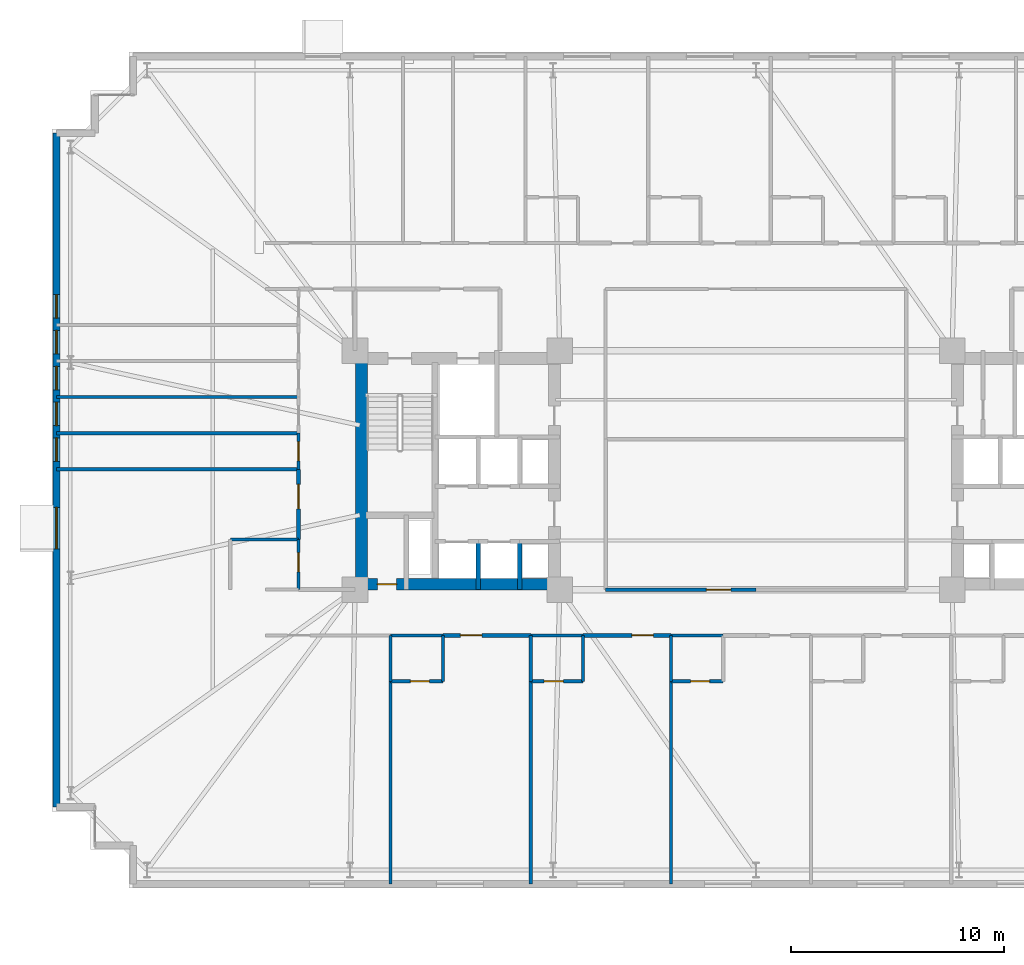
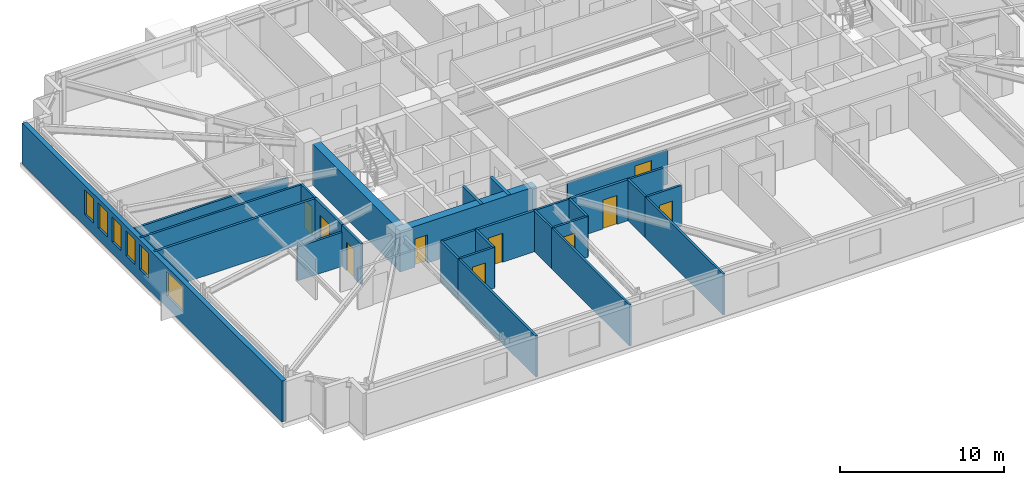
# One storey, part 14 of 22: 29 walls, 10 doors, 6 windows, 16 openings.
"""IFC4 building model written with IfcOpenShell, lengths in metres."""

from ifc_helpers import new_model, si_unit, direction, frame, frame_2d, origin, place, context, subcontext, project, spatial, rectangle, extrude, material, layer, layer_set, type_object, element, fill, save


model = new_model("IFC4")

# Units and contexts
model_context = context("Model", 3, precision=1e-05, world=origin(), true_north=direction((0.0, 1.0)))
body_context = subcontext(model_context, "Body", "Model", "MODEL_VIEW")
ifc_project = project(units=[si_unit("LENGTHUNIT", "METRE"), si_unit("AREAUNIT", "SQUARE_METRE"), si_unit("VOLUMEUNIT", "CUBIC_METRE"), si_unit("PLANEANGLEUNIT", "RADIAN"), si_unit("MASSUNIT", "GRAM", prefix="KILO")], contexts=[model_context])

# Site, building, storey
site_placement = place(None, origin())
site = spatial("IfcSite", under=ifc_project, at=site_placement, CompositionType="ELEMENT")
building_placement = place(site_placement, origin())
building = spatial("IfcBuilding", under=site, at=building_placement, Name="Qobustan Lattice House", CompositionType="ELEMENT")
storey_placement = place(building_placement, frame((0.0, 0.0, 53.800048828125)))
storey = spatial("IfcBuildingStorey", under=building, at=storey_placement, Name="L14", CompositionType="ELEMENT", Elevation=53.800048828125)

# Wall, opening, door
ifc_material_1 = material(Name="Concrete C60/75", Category="concrete")
ifc_layer_1 = layer(ifc_material_1, 0.56005859375)
ifc_layer_set_1 = layer_set([ifc_layer_1], Name="Concrete C60/75")
wall_type_1 = type_object("IfcWallType", Name="WAL-CORE-600", PredefinedType="SHEAR", material=ifc_layer_set_1)
wall_1_placement = place(storey_placement, frame((-18.800048828125, -5.35009765625, 0.0), z_axis=(0.0, 0.0, 1.0), x_axis=(1.0, 0.0, 0.0)))
wall_1 = element("IfcWall", 1, at=wall_1_placement, inside=storey, type_object=wall_type_1, Name="L14 split-core shear wall CW-S", PredefinedType="SHEAR", context=body_context, shape_type="SweptSolid", body=[
    extrude(rectangle(XDim=9.60009765625, YDim=0.56005859375, at=frame_2d((4.800048828125, 0.0))), origin(), (0.0, 0.0, 1.0), 3.034912109375),
])
opening_1_placement = place(wall_1_placement, frame((1.050048828125, 0.0, 0.0)))
opening_1 = element("IfcOpeningElement", 2, at=opening_1_placement, cuts=wall_1, Name="Opening RD-01", PredefinedType="OPENING", context=body_context, shape_type="SweptSolid", body=[
    extrude(rectangle(XDim=0.89990234375, YDim=2.10009765625, at=frame_2d((0.449951171875, 1.050048828125))), frame((0.0, 0.2900390625, 0.0), z_axis=(0.0, -1.0, 0.0), x_axis=(1.0, 0.0, 0.0)), (0.0, 0.0, 1.0), 0.580078125),
])
ifc_material_2 = material(Name="Persian walnut timber and steel frame door", Category="steel")
door_type_1 = type_object("IfcDoorType", Name="DOR-RISER-FD-900x2100", OperationType="NOTDEFINED", PredefinedType="DOOR", material=ifc_material_2)
door_1_placement = place(opening_1_placement, origin())
door_1 = element("IfcDoor", 3, at=door_1_placement, inside=storey, type_object=door_type_1, Name="L14 core service riser access door W", OperationType="SINGLE_SWING_RIGHT", OverallHeight=2.10009765625, OverallWidth=0.89990234375, PredefinedType="DOOR", context=body_context, shape_type="SweptSolid", body=[
    extrude(rectangle(XDim=0.89990234375, YDim=2.10009765625, at=frame_2d((0.449951171875, 1.050048828125))), frame((0.0, 0.02490234375, 0.0), z_axis=(0.0, -1.0, 0.0), x_axis=(1.0, 0.0, 0.0)), (0.0, 0.0, 1.0), 0.050048828125),
])
fill(opening_1, door_1)

# Wall
wall_2_placement = place(storey_placement, frame((-18.489990234375, -5.050048828125, 0.0), z_axis=(0.0, 0.0, 1.0), x_axis=(0.0, 1.0, 0.0)))
element("IfcWall", 4, at=wall_2_placement, inside=storey, type_object=wall_type_1, Name="L14 split-core shear wall CW-W", PredefinedType="SHEAR", context=body_context, shape_type="SweptSolid", body=[
    extrude(rectangle(XDim=10.10009765625, YDim=0.56005859375, at=frame_2d((5.050048828125, 0.0))), origin(), (0.0, 0.0, 1.0), 3.034912109375),
])

# Wall, openings, windows
ifc_material_3 = material(Name="Precast concrete C40/50", Category="concrete")
ifc_layer_2 = layer(ifc_material_3, 0.320068359375)
ifc_layer_set_2 = layer_set([ifc_layer_2], Name="Precast concrete C40/50")
wall_type_2 = type_object("IfcWallType", Name="WAL-EXT-STONE-320", PredefinedType="SOLIDWALL", material=ifc_layer_set_2)
wall_3_placement = place(storey_placement, frame((-32.800048828125, -15.800048828125, 0.0), z_axis=(0.0, 0.0, 1.0), x_axis=(0.0, 1.0, 0.0)))
wall_3 = element("IfcWall", 5, at=wall_3_placement, inside=storey, type_object=wall_type_2, Name="L14 exterior limestone-clad wall 5", PredefinedType="SOLIDWALL", context=body_context, shape_type="SweptSolid", body=[
    extrude(rectangle(XDim=31.60009765625, YDim=0.320068359375, at=frame_2d((15.800048828125, 0.0))), origin(), (0.0, 0.0, 1.0), 3.034912109375),
])
opening_2_placement = place(wall_3_placement, frame((12.10498046875, 0.0, 0.85009765625)))
opening_2 = element("IfcOpeningElement", 6, at=opening_2_placement, cuts=wall_3, Name="Opening WN-08", PredefinedType="OPENING", context=body_context, shape_type="SweptSolid", body=[
    extrude(rectangle(XDim=1.949951171875, YDim=1.85009765625, at=frame_2d((0.97509765625, 0.925048828125))), frame((0.0, 0.169921875, 0.0), z_axis=(0.0, -1.0, 0.0), x_axis=(1.0, 0.0, 0.0)), (0.0, 0.0, 1.0), 0.340087890625),
])
opening_3_placement = place(wall_3_placement, frame((16.2099609375, 0.0, 0.85009765625)))
opening_3 = element("IfcOpeningElement", 7, at=opening_3_placement, cuts=wall_3, Name="Opening WN-04", PredefinedType="OPENING", context=body_context, shape_type="SweptSolid", body=[
    extrude(rectangle(XDim=1.10009765625, YDim=1.85009765625, at=frame_2d((0.550048828125, 0.925048828125))), frame((0.0, 0.169921875, 0.0), z_axis=(0.0, -1.0, 0.0), x_axis=(1.0, 0.0, 0.0)), (0.0, 0.0, 1.0), 0.340087890625),
])
opening_4_placement = place(wall_3_placement, frame((17.889892578125, 0.0, 0.85009765625)))
opening_4 = element("IfcOpeningElement", 8, at=opening_4_placement, cuts=wall_3, Name="Opening WN-04", PredefinedType="OPENING", context=body_context, shape_type="SweptSolid", body=[
    extrude(rectangle(XDim=1.10009765625, YDim=1.85009765625, at=frame_2d((0.550048828125, 0.925048828125))), frame((0.0, 0.169921875, 0.0), z_axis=(0.0, -1.0, 0.0), x_axis=(1.0, 0.0, 0.0)), (0.0, 0.0, 1.0), 0.340087890625),
])
opening_5_placement = place(wall_3_placement, frame((19.570068359375, 0.0, 0.85009765625)))
opening_5 = element("IfcOpeningElement", 9, at=opening_5_placement, cuts=wall_3, Name="Opening WN-04", PredefinedType="OPENING", context=body_context, shape_type="SweptSolid", body=[
    extrude(rectangle(XDim=1.10009765625, YDim=1.85009765625, at=frame_2d((0.550048828125, 0.925048828125))), frame((0.0, 0.169921875, 0.0), z_axis=(0.0, -1.0, 0.0), x_axis=(1.0, 0.0, 0.0)), (0.0, 0.0, 1.0), 0.340087890625),
])
opening_6_placement = place(wall_3_placement, frame((21.25, 0.0, 0.85009765625)))
opening_6 = element("IfcOpeningElement", 10, at=opening_6_placement, cuts=wall_3, Name="Opening WN-04", PredefinedType="OPENING", context=body_context, shape_type="SweptSolid", body=[
    extrude(rectangle(XDim=1.10009765625, YDim=1.85009765625, at=frame_2d((0.550048828125, 0.925048828125))), frame((0.0, 0.169921875, 0.0), z_axis=(0.0, -1.0, 0.0), x_axis=(1.0, 0.0, 0.0)), (0.0, 0.0, 1.0), 0.340087890625),
])
opening_7_placement = place(wall_3_placement, frame((22.929931640625, 0.0, 0.85009765625)))
opening_7 = element("IfcOpeningElement", 11, at=opening_7_placement, cuts=wall_3, Name="Opening WN-04", PredefinedType="OPENING", context=body_context, shape_type="SweptSolid", body=[
    extrude(rectangle(XDim=1.10009765625, YDim=1.85009765625, at=frame_2d((0.550048828125, 0.925048828125))), frame((0.0, 0.169921875, 0.0), z_axis=(0.0, -1.0, 0.0), x_axis=(1.0, 0.0, 0.0)), (0.0, 0.0, 1.0), 0.340087890625),
])
ifc_material_4 = material(Name="Double-glazed low-E aluminium window", Category="aluminium")
window_type_1 = type_object("IfcWindowType", Name="WIN-KIT-1950x1850", PartitioningType="SINGLE_PANEL", PredefinedType="WINDOW", material=ifc_material_4)
window_1_placement = place(opening_2_placement, origin())
window_1 = element("IfcWindow", 12, at=window_1_placement, inside=storey, type_object=window_type_1, Name="L14 Shared kitchen L14W window", OverallHeight=1.85009765625, OverallWidth=1.949951171875, PartitioningType="SINGLE_PANEL", PredefinedType="WINDOW", context=body_context, shape_type="SweptSolid", body=[
    extrude(rectangle(XDim=1.949951171875, YDim=1.85009765625, at=frame_2d((0.97509765625, 0.925048828125))), frame((0.0, 0.030029296875, 0.0), z_axis=(0.0, -1.0, 0.0), x_axis=(1.0, 0.0, 0.0)), (0.0, 0.0, 1.0), 0.06005859375),
])
fill(opening_2, window_1)
ifc_material_5 = material(Name="Double-glazed low-E aluminium window", Category="aluminium")
window_type_2 = type_object("IfcWindowType", Name="WIN-NAR-1100x1850", PartitioningType="SINGLE_PANEL", PredefinedType="WINDOW", material=ifc_material_5)
window_2_placement = place(opening_3_placement, origin())
window_2 = element("IfcWindow", 13, at=window_2_placement, inside=storey, type_object=window_type_2, Name="L14 Cluster bedroom L14W1 window", OverallHeight=1.85009765625, OverallWidth=1.10009765625, PartitioningType="SINGLE_PANEL", PredefinedType="WINDOW", context=body_context, shape_type="SweptSolid", body=[
    extrude(rectangle(XDim=1.10009765625, YDim=1.85009765625, at=frame_2d((0.550048828125, 0.925048828125))), frame((0.0, 0.030029296875, 0.0), z_axis=(0.0, -1.0, 0.0), x_axis=(1.0, 0.0, 0.0)), (0.0, 0.0, 1.0), 0.06005859375),
])
fill(opening_3, window_2)
window_3_placement = place(opening_4_placement, origin())
window_3 = element("IfcWindow", 14, at=window_3_placement, inside=storey, type_object=window_type_2, Name="L14 Cluster bedroom L14W2 window", OverallHeight=1.85009765625, OverallWidth=1.10009765625, PartitioningType="SINGLE_PANEL", PredefinedType="WINDOW", context=body_context, shape_type="SweptSolid", body=[
    extrude(rectangle(XDim=1.10009765625, YDim=1.85009765625, at=frame_2d((0.550048828125, 0.925048828125))), frame((0.0, 0.030029296875, 0.0), z_axis=(0.0, -1.0, 0.0), x_axis=(1.0, 0.0, 0.0)), (0.0, 0.0, 1.0), 0.06005859375),
])
fill(opening_4, window_3)
window_4_placement = place(opening_5_placement, origin())
window_4 = element("IfcWindow", 15, at=window_4_placement, inside=storey, type_object=window_type_2, Name="L14 Cluster bedroom L14W3 window", OverallHeight=1.85009765625, OverallWidth=1.10009765625, PartitioningType="SINGLE_PANEL", PredefinedType="WINDOW", context=body_context, shape_type="SweptSolid", body=[
    extrude(rectangle(XDim=1.10009765625, YDim=1.85009765625, at=frame_2d((0.550048828125, 0.925048828125))), frame((0.0, 0.030029296875, 0.0), z_axis=(0.0, -1.0, 0.0), x_axis=(1.0, 0.0, 0.0)), (0.0, 0.0, 1.0), 0.06005859375),
])
fill(opening_5, window_4)
window_5_placement = place(opening_6_placement, origin())
window_5 = element("IfcWindow", 16, at=window_5_placement, inside=storey, type_object=window_type_2, Name="L14 Cluster bedroom L14W4 window", OverallHeight=1.85009765625, OverallWidth=1.10009765625, PartitioningType="SINGLE_PANEL", PredefinedType="WINDOW", context=body_context, shape_type="SweptSolid", body=[
    extrude(rectangle(XDim=1.10009765625, YDim=1.85009765625, at=frame_2d((0.550048828125, 0.925048828125))), frame((0.0, 0.030029296875, 0.0), z_axis=(0.0, -1.0, 0.0), x_axis=(1.0, 0.0, 0.0)), (0.0, 0.0, 1.0), 0.06005859375),
])
fill(opening_6, window_5)
window_6_placement = place(opening_7_placement, origin())
window_6 = element("IfcWindow", 17, at=window_6_placement, inside=storey, type_object=window_type_2, Name="L14 Cluster bedroom L14W5 window", OverallHeight=1.85009765625, OverallWidth=1.10009765625, PartitioningType="SINGLE_PANEL", PredefinedType="WINDOW", context=body_context, shape_type="SweptSolid", body=[
    extrude(rectangle(XDim=1.10009765625, YDim=1.85009765625, at=frame_2d((0.550048828125, 0.925048828125))), frame((0.0, 0.030029296875, 0.0), z_axis=(0.0, -1.0, 0.0), x_axis=(1.0, 0.0, 0.0)), (0.0, 0.0, 1.0), 0.06005859375),
])
fill(opening_7, window_6)

# Wall, opening, door
ifc_material_6 = material(Name="Gypsum fireboard acoustic partition", Category="gypsum")
ifc_layer_3 = layer(ifc_material_6, 0.179931640625)
ifc_layer_set_3 = layer_set([ifc_layer_3], Name="Gypsum fireboard acoustic partition")
wall_type_3 = type_object("IfcWallType", Name="WAL-FIRE-180", PredefinedType="PARTITIONING", material=ifc_layer_set_3)
wall_4_placement = place(storey_placement, frame((-10.556884765625, -7.75, 0.0), z_axis=(0.0, 0.0, 1.0), x_axis=(-1.0, 0.0, 0.0)))
wall_4 = element("IfcWall", 18, at=wall_4_placement, inside=storey, type_object=wall_type_3, Name="L14 interior partition 60", PredefinedType="PARTITIONING", context=body_context, shape_type="SweptSolid", body=[
    extrude(rectangle(XDim=4.1220703125, YDim=0.179931640625, at=frame_2d((2.06103515625, 0.0))), origin(), (0.0, 0.0, 1.0), 3.034912109375),
])
opening_8_placement = place(wall_4_placement, frame((2.296630859375, 0.0, 0.0)))
opening_8 = element("IfcOpeningElement", 19, at=opening_8_placement, cuts=wall_4, Name="Opening FD-02", PredefinedType="OPENING", context=body_context, shape_type="SweptSolid", body=[
    extrude(rectangle(XDim=1.0, YDim=2.14990234375, at=frame_2d((0.5, 1.074951171875))), frame((0.0, 0.099853515625, 0.0), z_axis=(0.0, -1.0, 0.0), x_axis=(1.0, 0.0, 0.0)), (0.0, 0.0, 1.0), 0.199951171875),
])
ifc_material_7 = material(Name="Persian walnut timber and steel frame door", Category="steel")
door_type_2 = type_object("IfcDoorType", Name="DOR-UNIT-FD-1000x2150", OperationType="NOTDEFINED", PredefinedType="DOOR", material=ifc_material_7)
door_2_placement = place(opening_8_placement, origin())
door_2 = element("IfcDoor", 20, at=door_2_placement, inside=storey, type_object=door_type_2, Name="L14 South-west floor corridor to Kitchenette and studio apartment L14-S2 door", OperationType="SINGLE_SWING_RIGHT", OverallHeight=2.14990234375, OverallWidth=1.0, PredefinedType="DOOR", context=body_context, shape_type="SweptSolid", body=[
    extrude(rectangle(XDim=1.0, YDim=2.14990234375, at=frame_2d((0.5, 1.074951171875))), frame((0.0, 0.02490234375, 0.0), z_axis=(0.0, -1.0, 0.0), x_axis=(1.0, 0.0, 0.0)), (0.0, 0.0, 1.0), 0.050048828125),
])
fill(opening_8, door_2)

wall_5_placement = place(storey_placement, frame((-3.986083984375, -7.75, 0.0), z_axis=(0.0, 0.0, 1.0), x_axis=(-1.0, 0.0, 0.0)))
wall_5 = element("IfcWall", 21, at=wall_5_placement, inside=storey, type_object=wall_type_3, Name="L14 interior partition 62", PredefinedType="PARTITIONING", context=body_context, shape_type="SweptSolid", body=[
    extrude(rectangle(XDim=4.120849609375, YDim=0.179931640625, at=frame_2d((2.060546875, 0.0))), origin(), (0.0, 0.0, 1.0), 3.034912109375),
])
opening_9_placement = place(wall_5_placement, frame((0.8251953125, 0.0, 0.0)))
opening_9 = element("IfcOpeningElement", 22, at=opening_9_placement, cuts=wall_5, Name="Opening FD-02", PredefinedType="OPENING", context=body_context, shape_type="SweptSolid", body=[
    extrude(rectangle(XDim=1.0, YDim=2.14990234375, at=frame_2d((0.5, 1.074951171875))), frame((0.0, 0.099853515625, 0.0), z_axis=(0.0, -1.0, 0.0), x_axis=(1.0, 0.0, 0.0)), (0.0, 0.0, 1.0), 0.199951171875),
])
door_3_placement = place(opening_9_placement, origin())
door_3 = element("IfcDoor", 23, at=door_3_placement, inside=storey, type_object=door_type_2, Name="L14 South-west floor corridor to Kitchenette and studio apartment L14-S3 door", OperationType="SINGLE_SWING_LEFT", OverallHeight=2.14990234375, OverallWidth=1.0, PredefinedType="DOOR", context=body_context, shape_type="SweptSolid", body=[
    extrude(rectangle(XDim=1.0, YDim=2.14990234375, at=frame_2d((0.5, 1.074951171875))), frame((0.0, 0.02490234375, 0.0), z_axis=(0.0, -1.0, 0.0), x_axis=(1.0, 0.0, 0.0)), (0.0, 0.0, 1.0), 0.050048828125),
])
fill(opening_9, door_3)

ifc_material_8 = material(Name="Acoustic twin-stud gypsum partition", Category="gypsum")
ifc_layer_4 = layer(ifc_material_8, 0.14990234375)
ifc_layer_set_4 = layer_set([ifc_layer_4], Name="Acoustic twin-stud gypsum partition")
wall_type_4 = type_object("IfcWallType", Name="WAL-PART-150", PredefinedType="PARTITIONING", material=ifc_layer_set_4)
wall_6_placement = place(storey_placement, frame((-21.449951171875, 0.0400390625, 0.0), z_axis=(0.0, 0.0, 1.0), x_axis=(0.0, 1.0, 0.0)))
wall_6 = element("IfcWall", 24, at=wall_6_placement, inside=storey, type_object=wall_type_4, Name="L14 interior partition 83", PredefinedType="PARTITIONING", context=body_context, shape_type="SweptSolid", body=[
    extrude(rectangle(XDim=1.69189453125, YDim=0.14990234375, at=frame_2d((0.845947265625, 0.0))), origin(), (0.0, 0.0, 1.0), 3.034912109375),
])
opening_10_placement = place(wall_6_placement, frame((0.39599609375, 0.0, 0.0)))
opening_10 = element("IfcOpeningElement", 25, at=opening_10_placement, cuts=wall_6, Name="Opening WD-01", PredefinedType="OPENING", context=body_context, shape_type="SweptSolid", body=[
    extrude(rectangle(XDim=0.89990234375, YDim=2.10009765625, at=frame_2d((0.449951171875, 1.050048828125))), frame((0.0, 0.0849609375, 0.0), z_axis=(0.0, -1.0, 0.0), x_axis=(1.0, 0.0, 0.0)), (0.0, 0.0, 1.0), 0.169921875),
])
ifc_material_9 = material(Name="Persian walnut timber and steel frame door", Category="steel")
door_type_3 = type_object("IfcDoorType", Name="DOR-WET-900x2100", OperationType="NOTDEFINED", PredefinedType="DOOR", material=ifc_material_9)
door_4_placement = place(opening_10_placement, origin())
door_4 = element("IfcDoor", 26, at=door_4_placement, inside=storey, type_object=door_type_3, Name="L14 Residence entrance hall L14W to Cluster bedroom L14W1 door", OperationType="SINGLE_SWING_RIGHT", OverallHeight=2.10009765625, OverallWidth=0.89990234375, PredefinedType="DOOR", context=body_context, shape_type="SweptSolid", body=[
    extrude(rectangle(XDim=0.89990234375, YDim=2.10009765625, at=frame_2d((0.449951171875, 1.050048828125))), frame((0.0, 0.02490234375, 0.0), z_axis=(0.0, -1.0, 0.0), x_axis=(1.0, 0.0, 0.0)), (0.0, 0.0, 1.0), 0.050048828125),
])
fill(opening_10, door_4)

# Walls
wall_7_placement = place(storey_placement, frame((-32.800048828125, 1.73193359375, 0.0), z_axis=(0.0, 0.0, 1.0), x_axis=(1.0, 0.0, 0.0)))
element("IfcWall", 27, at=wall_7_placement, inside=storey, type_object=wall_type_4, Name="L14 interior partition 91", PredefinedType="PARTITIONING", context=body_context, shape_type="SweptSolid", body=[
    extrude(rectangle(XDim=11.35009765625, YDim=0.14990234375, at=frame_2d((5.675048828125, 0.0))), origin(), (0.0, 0.0, 1.0), 3.034912109375),
])
wall_8_placement = place(storey_placement, frame((-32.800048828125, 3.424072265625, 0.0), z_axis=(0.0, 0.0, 1.0), x_axis=(1.0, 0.0, 0.0)))
element("IfcWall", 28, at=wall_8_placement, inside=storey, type_object=wall_type_4, Name="L14 interior partition 92", PredefinedType="PARTITIONING", context=body_context, shape_type="SweptSolid", body=[
    extrude(rectangle(XDim=11.35009765625, YDim=0.14990234375, at=frame_2d((5.675048828125, 0.0))), origin(), (0.0, 0.0, 1.0), 2.52001953125),
])
for number, where, z_axis, x_axis, name in (
    (29, (-17.12890625, -9.89990234375, 0.0), (0.0, 0.0, 1.0), (0.0, -1.0, 0.0), "L14 interior partition 132"),
    (30, (-10.556884765625, -9.89990234375, 0.0), (0.0, 0.0, 1.0), (0.0, -1.0, 0.0), "L14 interior partition 136"),
    (31, (-3.986083984375, -9.89990234375, 0.0), (0.0, 0.0, 1.0), (0.0, -1.0, 0.0), "L14 interior partition 140"),
):
    element("IfcWall", number, at=place(storey_placement, frame(where, z_axis=z_axis, x_axis=x_axis)), inside=storey, type_object=wall_type_4, Name=name, PredefinedType="PARTITIONING", context=body_context, shape_type="SweptSolid", body=[
        extrude(rectangle(XDim=9.5, YDim=0.14990234375, at=frame_2d((4.75, 0.0))), origin(), (0.0, 0.0, 1.0), 3.034912109375),
    ])

# Wall, opening, door
ifc_material_10 = material(Name="High-mass acoustic twin-stud partition", Category="gypsum")
ifc_layer_5 = layer(ifc_material_10, 0.1650390625)
ifc_layer_set_5 = layer_set([ifc_layer_5], Name="High-mass acoustic twin-stud partition")
wall_type_5 = type_object("IfcWallType", Name="WAL-PART-165", PredefinedType="PARTITIONING", material=ifc_layer_set_5)
wall_9_placement = place(storey_placement, frame((-7.050048828125, -5.60009765625, 0.0), z_axis=(0.0, 0.0, 1.0), x_axis=(1.0, 0.0, 0.0)))
wall_9 = element("IfcWall", 32, at=wall_9_placement, inside=storey, type_object=wall_type_5, Name="L14 interior partition 66", PredefinedType="PARTITIONING", context=body_context, shape_type="SweptSolid", body=[
    extrude(rectangle(XDim=7.050048828125, YDim=0.1650390625, at=frame_2d((3.52490234375, 0.0))), origin(), (0.0, 0.0, 1.0), 2.52001953125),
])
opening_11_placement = place(wall_9_placement, frame((4.7275390625, 0.0, 0.0)))
opening_11 = element("IfcOpeningElement", 33, at=opening_11_placement, cuts=wall_9, Name="Opening ID-03", PredefinedType="OPENING", context=body_context, shape_type="SweptSolid", body=[
    extrude(rectangle(XDim=1.14990234375, YDim=2.14990234375, at=frame_2d((0.574951171875, 1.074951171875))), frame((0.0, 0.092529296875, 0.0), z_axis=(0.0, -1.0, 0.0), x_axis=(1.0, 0.0, 0.0)), (0.0, 0.0, 1.0), 0.18505859375),
])
ifc_material_11 = material(Name="Persian walnut timber and steel frame door", Category="steel")
door_type_4 = type_object("IfcDoorType", Name="DOR-KITCH-1150x2150", OperationType="NOTDEFINED", PredefinedType="DOOR", material=ifc_material_11)
door_5_placement = place(opening_11_placement, origin())
door_5 = element("IfcDoor", 34, at=door_5_placement, inside=storey, type_object=door_type_4, Name="L14 South-west floor corridor to Communal dining kitchen door", OperationType="SINGLE_SWING_RIGHT", OverallHeight=2.14990234375, OverallWidth=1.14990234375, PredefinedType="DOOR", context=body_context, shape_type="SweptSolid", body=[
    extrude(rectangle(XDim=1.14990234375, YDim=2.14990234375, at=frame_2d((0.574951171875, 1.074951171875))), frame((0.0, 0.02490234375, 0.0), z_axis=(0.0, -1.0, 0.0), x_axis=(1.0, 0.0, 0.0)), (0.0, 0.0, 1.0), 0.050048828125),
])
fill(opening_11, door_5)

wall_10_placement = place(storey_placement, frame((-21.449951171875, -3.25, 0.0), z_axis=(0.0, 0.0, 1.0), x_axis=(0.0, 1.0, 0.0)))
wall_10 = element("IfcWall", 35, at=wall_10_placement, inside=storey, type_object=wall_type_5, Name="L14 interior partition 82", PredefinedType="PARTITIONING", context=body_context, shape_type="SweptSolid", body=[
    extrude(rectangle(XDim=3.2900390625, YDim=0.1650390625, at=frame_2d((1.64501953125, 0.0))), origin(), (0.0, 0.0, 1.0), 3.034912109375),
])
opening_12_placement = place(wall_10_placement, frame((1.4375, 0.0, 0.0)))
opening_12 = element("IfcOpeningElement", 36, at=opening_12_placement, cuts=wall_10, Name="Opening ID-03", PredefinedType="OPENING", context=body_context, shape_type="SweptSolid", body=[
    extrude(rectangle(XDim=1.14990234375, YDim=2.14990234375, at=frame_2d((0.574951171875, 1.074951171875))), frame((0.0, 0.092529296875, 0.0), z_axis=(0.0, -1.0, 0.0), x_axis=(1.0, 0.0, 0.0)), (0.0, 0.0, 1.0), 0.18505859375),
])
door_6_placement = place(opening_12_placement, origin())
door_6 = element("IfcDoor", 37, at=door_6_placement, inside=storey, type_object=door_type_4, Name="L14 Residence entrance hall L14W to Shared kitchen L14W door", OperationType="SINGLE_SWING_LEFT", OverallHeight=2.14990234375, OverallWidth=1.14990234375, PredefinedType="DOOR", context=body_context, shape_type="SweptSolid", body=[
    extrude(rectangle(XDim=1.14990234375, YDim=2.14990234375, at=frame_2d((0.574951171875, 1.074951171875))), frame((0.0, 0.02490234375, 0.0), z_axis=(0.0, -1.0, 0.0), x_axis=(1.0, 0.0, 0.0)), (0.0, 0.0, 1.0), 0.050048828125),
])
fill(opening_12, door_6)

# Walls
wall_11_placement = place(storey_placement, frame((-32.800048828125, 0.0400390625, 0.0), z_axis=(0.0, 0.0, 1.0), x_axis=(1.0, 0.0, 0.0)))
element("IfcWall", 38, at=wall_11_placement, inside=storey, type_object=wall_type_5, Name="L14 interior partition 90", PredefinedType="PARTITIONING", context=body_context, shape_type="SweptSolid", body=[
    extrude(rectangle(XDim=11.35009765625, YDim=0.1650390625, at=frame_2d((5.675048828125, 0.0))), origin(), (0.0, 0.0, 1.0), 3.034912109375),
])
ifc_material_12 = material(Name="Concrete C40/50", Category="concrete")
ifc_layer_6 = layer(ifc_material_12, 0.199951171875)
ifc_layer_set_6 = layer_set([ifc_layer_6], Name="Concrete C40/50")
wall_type_6 = type_object("IfcWallType", Name="WAL-SHAFT-200", PredefinedType="PARTITIONING", material=ifc_layer_set_6)
for number, where, z_axis, x_axis, name in (
    (39, (-13.02001953125, -5.60009765625, 0.0), (0.0, 0.0, 1.0), (0.0, 1.0, 0.0), "L14 interior partition 14"),
    (40, (-11.080078125, -5.60009765625, 0.0), (0.0, 0.0, 1.0), (0.0, 1.0, 0.0), "L14 interior partition 15"),
):
    element("IfcWall", number, at=place(storey_placement, frame(where, z_axis=z_axis, x_axis=x_axis)), inside=storey, type_object=wall_type_6, Name=name, PredefinedType="PARTITIONING", context=body_context, shape_type="SweptSolid", body=[
        extrude(rectangle(XDim=2.25, YDim=0.199951171875, at=frame_2d((1.125, 0.0))), origin(), (0.0, 0.0, 1.0), 3.034912109375),
    ])
ifc_material_13 = material(Name="Moisture-resistant acoustic plumbing wall", Category="gypsum")
ifc_layer_7 = layer(ifc_material_13, 0.14990234375)
ifc_layer_set_7 = layer_set([ifc_layer_7], Name="Moisture-resistant acoustic plumbing wall")
wall_type_7 = type_object("IfcWallType", Name="WAL-WET-150", PredefinedType="PLUMBINGWALL", material=ifc_layer_set_7)
for number, where, z_axis, x_axis, name in (
    (41, (-14.678955078125, -7.75, 0.0), (0.0, 0.0, 1.0), (-1.0, 0.0, 0.0), "L14 interior partition 61"),
    (42, (-8.10693359375, -7.75, 0.0), (0.0, 0.0, 1.0), (-1.0, 0.0, 0.0), "L14 interior partition 63"),
):
    element("IfcWall", number, at=place(storey_placement, frame(where, z_axis=z_axis, x_axis=x_axis)), inside=storey, type_object=wall_type_7, Name=name, PredefinedType="PLUMBINGWALL", context=body_context, shape_type="SweptSolid", body=[
        extrude(rectangle(XDim=2.449951171875, YDim=0.14990234375, at=frame_2d((1.22509765625, 0.0))), origin(), (0.0, 0.0, 1.0), 3.034912109375),
    ])
wall_12_placement = place(storey_placement, frame((-1.535888671875, -7.75, 0.0), z_axis=(0.0, 0.0, 1.0), x_axis=(-1.0, 0.0, 0.0)))
element("IfcWall", 43, at=wall_12_placement, inside=storey, type_object=wall_type_7, Name="L14 interior partition 65", PredefinedType="PLUMBINGWALL", context=body_context, shape_type="SweptSolid", body=[
    extrude(rectangle(XDim=2.4501953125, YDim=0.14990234375, at=frame_2d((1.22509765625, 0.0))), origin(), (0.0, 0.0, 1.0), 3.034912109375),
])

# Wall, opening, door
wall_13_placement = place(storey_placement, frame((-21.449951171875, -5.60009765625, 0.0), z_axis=(0.0, 0.0, 1.0), x_axis=(0.0, 1.0, 0.0)))
wall_13 = element("IfcWall", 44, at=wall_13_placement, inside=storey, type_object=wall_type_7, Name="L14 interior partition 81", PredefinedType="PLUMBINGWALL", context=body_context, shape_type="SweptSolid", body=[
    extrude(rectangle(XDim=2.35009765625, YDim=0.14990234375, at=frame_2d((1.175048828125, 0.0))), origin(), (0.0, 0.0, 1.0), 3.034912109375),
])
opening_13_placement = place(wall_13_placement, frame((0.833740234375, 0.0, 0.0)))
opening_13 = element("IfcOpeningElement", 45, at=opening_13_placement, cuts=wall_13, Name="Opening WD-01", PredefinedType="OPENING", context=body_context, shape_type="SweptSolid", body=[
    extrude(rectangle(XDim=0.89990234375, YDim=2.10009765625, at=frame_2d((0.449951171875, 1.050048828125))), frame((0.0, 0.0849609375, 0.0), z_axis=(0.0, -1.0, 0.0), x_axis=(1.0, 0.0, 0.0)), (0.0, 0.0, 1.0), 0.169921875),
])
door_7_placement = place(opening_13_placement, origin())
door_7 = element("IfcDoor", 46, at=door_7_placement, inside=storey, type_object=door_type_3, Name="L14 Residence entrance hall L14W to Shared bathroom L14W door", OperationType="SINGLE_SWING_RIGHT", OverallHeight=2.10009765625, OverallWidth=0.89990234375, PredefinedType="DOOR", context=body_context, shape_type="SweptSolid", body=[
    extrude(rectangle(XDim=0.89990234375, YDim=2.10009765625, at=frame_2d((0.449951171875, 1.050048828125))), frame((0.0, 0.02490234375, 0.0), z_axis=(0.0, -1.0, 0.0), x_axis=(1.0, 0.0, 0.0)), (0.0, 0.0, 1.0), 0.050048828125),
])
fill(opening_13, door_7)

# Walls
wall_14_placement = place(storey_placement, frame((-24.64990234375, -3.25, 0.0), z_axis=(0.0, 0.0, 1.0), x_axis=(1.0, 0.0, 0.0)))
element("IfcWall", 47, at=wall_14_placement, inside=storey, type_object=wall_type_7, Name="L14 interior partition 88", PredefinedType="PLUMBINGWALL", context=body_context, shape_type="SweptSolid", body=[
    extrude(rectangle(XDim=3.199951171875, YDim=0.14990234375, at=frame_2d((1.60009765625, 0.0))), origin(), (0.0, 0.0, 1.0), 2.52001953125),
])
wall_15_placement = place(storey_placement, frame((-17.12890625, -7.75, 0.0), z_axis=(0.0, 0.0, 1.0), x_axis=(0.0, -1.0, 0.0)))
element("IfcWall", 48, at=wall_15_placement, inside=storey, type_object=wall_type_7, Name="L14 interior partition 133", PredefinedType="PLUMBINGWALL", context=body_context, shape_type="SweptSolid", body=[
    extrude(rectangle(XDim=2.14990234375, YDim=0.14990234375, at=frame_2d((1.074951171875, 0.0))), origin(), (0.0, 0.0, 1.0), 3.034912109375),
])

# Wall, opening, door
wall_16_placement = place(storey_placement, frame((-17.12890625, -9.89990234375, 0.0), z_axis=(0.0, 0.0, 1.0), x_axis=(1.0, 0.0, 0.0)))
wall_16 = element("IfcWall", 49, at=wall_16_placement, inside=storey, type_object=wall_type_7, Name="L14 interior partition 134", PredefinedType="PLUMBINGWALL", context=body_context, shape_type="SweptSolid", body=[
    extrude(rectangle(XDim=2.449951171875, YDim=0.14990234375, at=frame_2d((1.22509765625, 0.0))), origin(), (0.0, 0.0, 1.0), 3.034912109375),
])
opening_14_placement = place(wall_16_placement, frame((0.92138671875, 0.0, 0.0)))
opening_14 = element("IfcOpeningElement", 50, at=opening_14_placement, cuts=wall_16, Name="Opening WD-01", PredefinedType="OPENING", context=body_context, shape_type="SweptSolid", body=[
    extrude(rectangle(XDim=0.89990234375, YDim=2.10009765625, at=frame_2d((0.449951171875, 1.050048828125))), frame((0.0, 0.0849609375, 0.0), z_axis=(0.0, -1.0, 0.0), x_axis=(1.0, 0.0, 0.0)), (0.0, 0.0, 1.0), 0.169921875),
])
door_8_placement = place(opening_14_placement, origin())
door_8 = element("IfcDoor", 51, at=door_8_placement, inside=storey, type_object=door_type_3, Name="L14 Kitchenette and studio apartment L14-S2 to En-suite bathroom L14-S2 door", OperationType="SINGLE_SWING_LEFT", OverallHeight=2.10009765625, OverallWidth=0.89990234375, PredefinedType="DOOR", context=body_context, shape_type="SweptSolid", body=[
    extrude(rectangle(XDim=0.89990234375, YDim=2.10009765625, at=frame_2d((0.449951171875, 1.050048828125))), frame((0.0, 0.02490234375, 0.0), z_axis=(0.0, -1.0, 0.0), x_axis=(1.0, 0.0, 0.0)), (0.0, 0.0, 1.0), 0.050048828125),
])
fill(opening_14, door_8)

# Walls
for number, where, z_axis, x_axis, name in (
    (52, (-14.678955078125, -9.89990234375, 0.0), (0.0, 0.0, 1.0), (0.0, 1.0, 0.0), "L14 interior partition 135"),
    (53, (-10.556884765625, -7.75, 0.0), (0.0, 0.0, 1.0), (0.0, -1.0, 0.0), "L14 interior partition 137"),
):
    element("IfcWall", number, at=place(storey_placement, frame(where, z_axis=z_axis, x_axis=x_axis)), inside=storey, type_object=wall_type_7, Name=name, PredefinedType="PLUMBINGWALL", context=body_context, shape_type="SweptSolid", body=[
        extrude(rectangle(XDim=2.14990234375, YDim=0.14990234375, at=frame_2d((1.074951171875, 0.0))), origin(), (0.0, 0.0, 1.0), 3.034912109375),
    ])

# Wall, opening, door
wall_17_placement = place(storey_placement, frame((-10.556884765625, -9.89990234375, 0.0), z_axis=(0.0, 0.0, 1.0), x_axis=(1.0, 0.0, 0.0)))
wall_17 = element("IfcWall", 54, at=wall_17_placement, inside=storey, type_object=wall_type_7, Name="L14 interior partition 138", PredefinedType="PLUMBINGWALL", context=body_context, shape_type="SweptSolid", body=[
    extrude(rectangle(XDim=2.449951171875, YDim=0.14990234375, at=frame_2d((1.22509765625, 0.0))), origin(), (0.0, 0.0, 1.0), 3.034912109375),
])
opening_15_placement = place(wall_17_placement, frame((0.62890625, 0.0, 0.0)))
opening_15 = element("IfcOpeningElement", 55, at=opening_15_placement, cuts=wall_17, Name="Opening WD-01", PredefinedType="OPENING", context=body_context, shape_type="SweptSolid", body=[
    extrude(rectangle(XDim=0.89990234375, YDim=2.10009765625, at=frame_2d((0.449951171875, 1.050048828125))), frame((0.0, 0.0849609375, 0.0), z_axis=(0.0, -1.0, 0.0), x_axis=(1.0, 0.0, 0.0)), (0.0, 0.0, 1.0), 0.169921875),
])
door_9_placement = place(opening_15_placement, origin())
door_9 = element("IfcDoor", 56, at=door_9_placement, inside=storey, type_object=door_type_3, Name="L14 Kitchenette and studio apartment L14-S3 to En-suite bathroom L14-S3 door", OperationType="SINGLE_SWING_RIGHT", OverallHeight=2.10009765625, OverallWidth=0.89990234375, PredefinedType="DOOR", context=body_context, shape_type="SweptSolid", body=[
    extrude(rectangle(XDim=0.89990234375, YDim=2.10009765625, at=frame_2d((0.449951171875, 1.050048828125))), frame((0.0, 0.02490234375, 0.0), z_axis=(0.0, -1.0, 0.0), x_axis=(1.0, 0.0, 0.0)), (0.0, 0.0, 1.0), 0.050048828125),
])
fill(opening_15, door_9)

# Walls
for number, where, z_axis, x_axis, name in (
    (57, (-8.10693359375, -9.89990234375, 0.0), (0.0, 0.0, 1.0), (0.0, 1.0, 0.0), "L14 interior partition 139"),
    (58, (-3.986083984375, -7.75, 0.0), (0.0, 0.0, 1.0), (0.0, -1.0, 0.0), "L14 interior partition 141"),
):
    element("IfcWall", number, at=place(storey_placement, frame(where, z_axis=z_axis, x_axis=x_axis)), inside=storey, type_object=wall_type_7, Name=name, PredefinedType="PLUMBINGWALL", context=body_context, shape_type="SweptSolid", body=[
        extrude(rectangle(XDim=2.14990234375, YDim=0.14990234375, at=frame_2d((1.074951171875, 0.0))), origin(), (0.0, 0.0, 1.0), 3.034912109375),
    ])

# Wall, opening, door
wall_18_placement = place(storey_placement, frame((-3.986083984375, -9.89990234375, 0.0), z_axis=(0.0, 0.0, 1.0), x_axis=(1.0, 0.0, 0.0)))
wall_18 = element("IfcWall", 59, at=wall_18_placement, inside=storey, type_object=wall_type_7, Name="L14 interior partition 142", PredefinedType="PLUMBINGWALL", context=body_context, shape_type="SweptSolid", body=[
    extrude(rectangle(XDim=2.4501953125, YDim=0.14990234375, at=frame_2d((1.22509765625, 0.0))), origin(), (0.0, 0.0, 1.0), 3.034912109375),
])
opening_16_placement = place(wall_18_placement, frame((0.92138671875, 0.0, 0.0)))
opening_16 = element("IfcOpeningElement", 60, at=opening_16_placement, cuts=wall_18, Name="Opening WD-01", PredefinedType="OPENING", context=body_context, shape_type="SweptSolid", body=[
    extrude(rectangle(XDim=0.89990234375, YDim=2.10009765625, at=frame_2d((0.449951171875, 1.050048828125))), frame((0.0, 0.0849609375, 0.0), z_axis=(0.0, -1.0, 0.0), x_axis=(1.0, 0.0, 0.0)), (0.0, 0.0, 1.0), 0.169921875),
])
door_10_placement = place(opening_16_placement, origin())
door_10 = element("IfcDoor", 61, at=door_10_placement, inside=storey, type_object=door_type_3, Name="L14 Kitchenette and studio apartment L14-S4 to En-suite bathroom L14-S4 door", OperationType="SINGLE_SWING_LEFT", OverallHeight=2.10009765625, OverallWidth=0.89990234375, PredefinedType="DOOR", context=body_context, shape_type="SweptSolid", body=[
    extrude(rectangle(XDim=0.89990234375, YDim=2.10009765625, at=frame_2d((0.449951171875, 1.050048828125))), frame((0.0, 0.02490234375, 0.0), z_axis=(0.0, -1.0, 0.0), x_axis=(1.0, 0.0, 0.0)), (0.0, 0.0, 1.0), 0.050048828125),
])
fill(opening_16, door_10)

save(model, "model.ifc")
